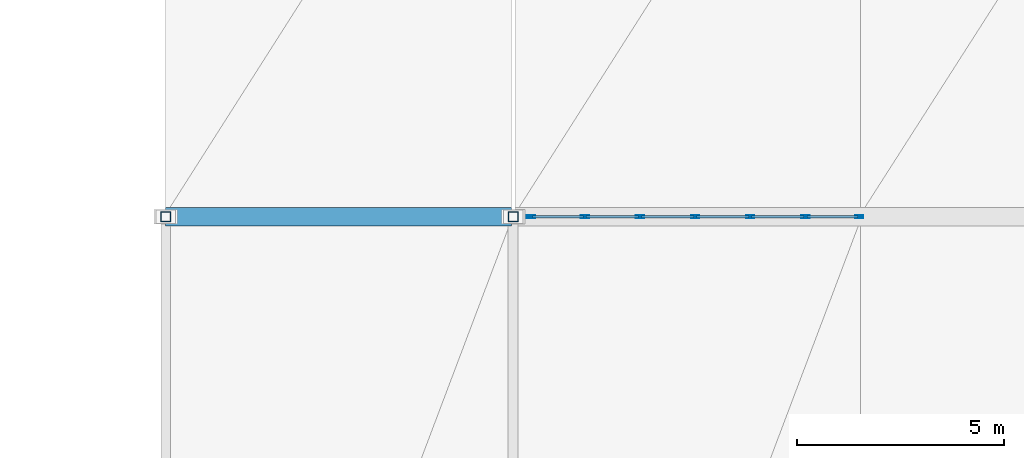
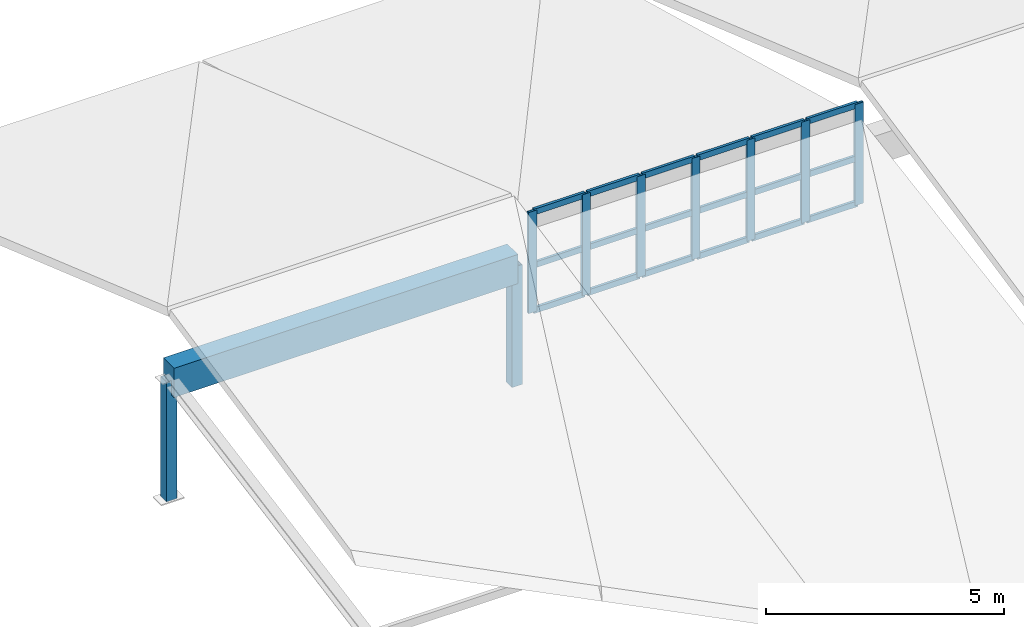
# One storey, part 24 of 76: 27 members, 1 beam, 1 element without a shape of its own.
"""IFC4 building model written with IfcOpenShell, lengths in metres."""

from ifc_helpers import new_model, si_unit, direction, frame, origin, origin_2d, place, context, subcontext, project, spatial, rectangle, hollow_rectangle, extrude, material, layer, layer_set, material_profile, profile_set, type_object, element, aggregate, save


model = new_model("IFC4")

# Units and contexts
model_context = context("Model", 3, precision=1e-05, world=origin(), true_north=direction((0.0, 1.0)))
body_context = subcontext(model_context, "Body", "Model", "MODEL_VIEW")
ifc_project = project(units=[si_unit("LENGTHUNIT", "METRE"), si_unit("AREAUNIT", "SQUARE_METRE"), si_unit("VOLUMEUNIT", "CUBIC_METRE"), si_unit("PLANEANGLEUNIT", "RADIAN"), si_unit("MASSUNIT", "GRAM", prefix="KILO")], contexts=[model_context])

# Site, building, storey
site_placement = place(None, origin())
site = spatial("IfcSite", under=ifc_project, at=site_placement, CompositionType="ELEMENT")
building_placement = place(site_placement, origin())
building = spatial("IfcBuilding", under=site, at=building_placement, Name="Krzemoval Escarpment Law Courts", CompositionType="ELEMENT")
storey_placement = place(building_placement, frame((0.0, 0.0, 20.39990234375)))
storey = spatial("IfcBuildingStorey", under=building, at=storey_placement, Name="L04", CompositionType="ELEMENT", Elevation=20.39990234375)

# Beam
ifc_material_1 = material(Name="Concrete C50/60", Category="concrete")
ifc_material_profile_1 = material_profile(ifc_material_1, rectangle(XDim=0.449951171875, YDim=0.75, at=origin_2d()), Name="FPR 450x750")
ifc_profile_set_1 = profile_set([ifc_material_profile_1], Name="Concrete C50/60")
beam_type = type_object("IfcBeamType", Name="BM-FPR-450x750", PredefinedType="BEAM", material=ifc_profile_set_1)
beam_placement = place(storey_placement, frame((109.199951171875, 22.199951171875, 2.800048828125), z_axis=(1.0, 0.0, 0.0), x_axis=(0.0, 1.0, 0.0)))
element("IfcBeam", 1, at=beam_placement, inside=storey, type_object=beam_type, Name="Library Clerestory Beam RB-2828", PredefinedType="BEAM", context=body_context, shape_type="SweptSolid", body=[
    extrude(rectangle(XDim=0.449951171875, YDim=0.75, at=origin_2d()), origin(), (0.0, 0.0, 1.0), 8.360107421875),
])

# Curtain wall, members
ifc_material_2 = material(Name="Aluminium 6063-T6", Category="aluminium")
ifc_layer = layer(ifc_material_2, 0.199951171875)
ifc_layer_set = layer_set([ifc_layer], Name="Aluminium 6063-T6")
curtain_wall_type = type_object("IfcCurtainWallType", Name="CW-CLER-2800", PredefinedType="USERDEFINED", material=ifc_layer_set)
curtain_wall_placement = place(storey_placement, origin())
curtain_wall = element("IfcCurtainWall", 2, at=curtain_wall_placement, inside=storey, type_object=curtain_wall_type, Name="Clerestory Curtain Wall CW-CLER-V3-01", ObjectType="UNITISED_CURTAIN_WALL", PredefinedType="USERDEFINED")
ifc_material_3 = material(Name="Aluminium 6063-T6", Category="aluminium")
ifc_material_profile_2 = material_profile(ifc_material_3, hollow_rectangle(XDim=0.06494140625, YDim=0.199951171875, WallThickness=0.00439453125, at=origin_2d()), Name="ALU M65x200")
ifc_profile_set_2 = profile_set([ifc_material_profile_2], Name="Aluminium 6063-T6")
member_type_1 = type_object("IfcMemberType", Name="CWM-65x200", PredefinedType="MULLION", material=ifc_profile_set_2)
member_1_placement = place(storey_placement, frame((118.032470703125, 22.199951171875, 1.400146484375), z_axis=(0.0, 0.0, 1.0), x_axis=(0.0, 1.0, 0.0)))
member_1 = element("IfcMember", 3, at=member_1_placement, type_object=member_type_1, Name="CW-CLER-V3-01 mullion 1", PredefinedType="MULLION", context=body_context, shape_type="SweptSolid", body=[
    extrude(hollow_rectangle(XDim=0.06494140625, YDim=0.199951171875, WallThickness=0.00439453125, at=origin_2d()), origin(), (0.0, 0.0, 1.0), 2.599853515625),
])
member_2_placement = place(storey_placement, frame((119.333251953125, 22.199951171875, 1.400146484375), z_axis=(0.0, 0.0, 1.0), x_axis=(0.0, 1.0, 0.0)))
member_2 = element("IfcMember", 4, at=member_2_placement, type_object=member_type_1, Name="CW-CLER-V3-01 mullion 2", PredefinedType="MULLION", context=body_context, shape_type="SweptSolid", body=[
    extrude(hollow_rectangle(XDim=0.06494140625, YDim=0.199951171875, WallThickness=0.00439453125, at=origin_2d()), origin(), (0.0, 0.0, 1.0), 2.599853515625),
])
member_3_placement = place(storey_placement, frame((120.666748046875, 22.199951171875, 1.400146484375), z_axis=(0.0, 0.0, 1.0), x_axis=(0.0, 1.0, 0.0)))
member_3 = element("IfcMember", 5, at=member_3_placement, type_object=member_type_1, Name="CW-CLER-V3-01 mullion 3", PredefinedType="MULLION", context=body_context, shape_type="SweptSolid", body=[
    extrude(hollow_rectangle(XDim=0.06494140625, YDim=0.199951171875, WallThickness=0.00439453125, at=origin_2d()), origin(), (0.0, 0.0, 1.0), 2.599853515625),
])
member_4_placement = place(storey_placement, frame((122.0, 22.199951171875, 1.400146484375), z_axis=(0.0, 0.0, 1.0), x_axis=(0.0, 1.0, 0.0)))
member_4 = element("IfcMember", 6, at=member_4_placement, type_object=member_type_1, Name="CW-CLER-V3-01 mullion 4", PredefinedType="MULLION", context=body_context, shape_type="SweptSolid", body=[
    extrude(hollow_rectangle(XDim=0.06494140625, YDim=0.199951171875, WallThickness=0.00439453125, at=origin_2d()), origin(), (0.0, 0.0, 1.0), 2.599853515625),
])
member_5_placement = place(storey_placement, frame((123.333251953125, 22.199951171875, 1.400146484375), z_axis=(0.0, 0.0, 1.0), x_axis=(0.0, 1.0, 0.0)))
member_5 = element("IfcMember", 7, at=member_5_placement, type_object=member_type_1, Name="CW-CLER-V3-01 mullion 5", PredefinedType="MULLION", context=body_context, shape_type="SweptSolid", body=[
    extrude(hollow_rectangle(XDim=0.06494140625, YDim=0.199951171875, WallThickness=0.00439453125, at=origin_2d()), origin(), (0.0, 0.0, 1.0), 2.599853515625),
])
member_6_placement = place(storey_placement, frame((124.666748046875, 22.199951171875, 1.400146484375), z_axis=(0.0, 0.0, 1.0), x_axis=(0.0, 1.0, 0.0)))
member_6 = element("IfcMember", 8, at=member_6_placement, type_object=member_type_1, Name="CW-CLER-V3-01 mullion 6", PredefinedType="MULLION", context=body_context, shape_type="SweptSolid", body=[
    extrude(hollow_rectangle(XDim=0.06494140625, YDim=0.199951171875, WallThickness=0.00439453125, at=origin_2d()), origin(), (0.0, 0.0, 1.0), 2.599853515625),
])
member_7_placement = place(storey_placement, frame((125.967529296875, 22.199951171875, 1.400146484375), z_axis=(0.0, 0.0, 1.0), x_axis=(0.0, 1.0, 0.0)))
member_7 = element("IfcMember", 9, at=member_7_placement, type_object=member_type_1, Name="CW-CLER-V3-01 mullion 7", PredefinedType="MULLION", context=body_context, shape_type="SweptSolid", body=[
    extrude(hollow_rectangle(XDim=0.06494140625, YDim=0.199951171875, WallThickness=0.00439453125, at=origin_2d()), origin(), (0.0, 0.0, 1.0), 2.599853515625),
])
ifc_material_4 = material(Name="Aluminium 6063-T6", Category="aluminium")
ifc_material_profile_3 = material_profile(ifc_material_4, hollow_rectangle(XDim=0.06494140625, YDim=0.14990234375, WallThickness=0.00439453125, at=origin_2d()), Name="ALU T65x150")
ifc_profile_set_3 = profile_set([ifc_material_profile_3], Name="Aluminium 6063-T6")
member_type_2 = type_object("IfcMemberType", Name="CWT-65x150", PredefinedType="USERDEFINED", material=ifc_profile_set_3)
member_8_placement = place(storey_placement, frame((118.06494140625, 22.199951171875, 1.4326171875), z_axis=(1.0, 0.0, 0.0), x_axis=(0.0, 1.0, 0.0)))
member_8 = element("IfcMember", 10, at=member_8_placement, type_object=member_type_2, Name="CW-CLER-V3-01 transom 1.1", ObjectType="TRANSOM", PredefinedType="USERDEFINED", context=body_context, shape_type="SweptSolid", body=[
    extrude(hollow_rectangle(XDim=0.06494140625, YDim=0.14990234375, WallThickness=0.00439453125, at=origin_2d()), origin(), (0.0, 0.0, 1.0), 1.23583984375),
])
member_9_placement = place(storey_placement, frame((118.06494140625, 22.199951171875, 2.60009765625), z_axis=(1.0, 0.0, 0.0), x_axis=(0.0, 1.0, 0.0)))
member_9 = element("IfcMember", 11, at=member_9_placement, type_object=member_type_2, Name="CW-CLER-V3-01 transom 1.2", ObjectType="TRANSOM", PredefinedType="USERDEFINED", context=body_context, shape_type="SweptSolid", body=[
    extrude(hollow_rectangle(XDim=0.06494140625, YDim=0.14990234375, WallThickness=0.00439453125, at=origin_2d()), origin(), (0.0, 0.0, 1.0), 1.23583984375),
])
member_10_placement = place(storey_placement, frame((118.06494140625, 22.199951171875, 3.967529296875), z_axis=(1.0, 0.0, 0.0), x_axis=(0.0, 1.0, 0.0)))
member_10 = element("IfcMember", 12, at=member_10_placement, type_object=member_type_2, Name="CW-CLER-V3-01 transom 1.3", ObjectType="TRANSOM", PredefinedType="USERDEFINED", context=body_context, shape_type="SweptSolid", body=[
    extrude(hollow_rectangle(XDim=0.06494140625, YDim=0.14990234375, WallThickness=0.00439453125, at=origin_2d()), origin(), (0.0, 0.0, 1.0), 1.23583984375),
])
member_11_placement = place(storey_placement, frame((119.36572265625, 22.199951171875, 1.4326171875), z_axis=(1.0, 0.0, 0.0), x_axis=(0.0, 1.0, 0.0)))
member_11 = element("IfcMember", 13, at=member_11_placement, type_object=member_type_2, Name="CW-CLER-V3-01 transom 2.1", ObjectType="TRANSOM", PredefinedType="USERDEFINED", context=body_context, shape_type="SweptSolid", body=[
    extrude(hollow_rectangle(XDim=0.06494140625, YDim=0.14990234375, WallThickness=0.00439453125, at=origin_2d()), origin(), (0.0, 0.0, 1.0), 1.2685546875),
])
member_12_placement = place(storey_placement, frame((119.36572265625, 22.199951171875, 2.60009765625), z_axis=(1.0, 0.0, 0.0), x_axis=(0.0, 1.0, 0.0)))
member_12 = element("IfcMember", 14, at=member_12_placement, type_object=member_type_2, Name="CW-CLER-V3-01 transom 2.2", ObjectType="TRANSOM", PredefinedType="USERDEFINED", context=body_context, shape_type="SweptSolid", body=[
    extrude(hollow_rectangle(XDim=0.06494140625, YDim=0.14990234375, WallThickness=0.00439453125, at=origin_2d()), origin(), (0.0, 0.0, 1.0), 1.2685546875),
])
member_13_placement = place(storey_placement, frame((119.36572265625, 22.199951171875, 3.967529296875), z_axis=(1.0, 0.0, 0.0), x_axis=(0.0, 1.0, 0.0)))
member_13 = element("IfcMember", 15, at=member_13_placement, type_object=member_type_2, Name="CW-CLER-V3-01 transom 2.3", ObjectType="TRANSOM", PredefinedType="USERDEFINED", context=body_context, shape_type="SweptSolid", body=[
    extrude(hollow_rectangle(XDim=0.06494140625, YDim=0.14990234375, WallThickness=0.00439453125, at=origin_2d()), origin(), (0.0, 0.0, 1.0), 1.2685546875),
])
member_14_placement = place(storey_placement, frame((120.69921875, 22.199951171875, 1.4326171875), z_axis=(1.0, 0.0, 0.0), x_axis=(0.0, 1.0, 0.0)))
member_14 = element("IfcMember", 16, at=member_14_placement, type_object=member_type_2, Name="CW-CLER-V3-01 transom 3.1", ObjectType="TRANSOM", PredefinedType="USERDEFINED", context=body_context, shape_type="SweptSolid", body=[
    extrude(hollow_rectangle(XDim=0.06494140625, YDim=0.14990234375, WallThickness=0.00439453125, at=origin_2d()), origin(), (0.0, 0.0, 1.0), 1.268310546875),
])
member_15_placement = place(storey_placement, frame((120.69921875, 22.199951171875, 2.60009765625), z_axis=(1.0, 0.0, 0.0), x_axis=(0.0, 1.0, 0.0)))
member_15 = element("IfcMember", 17, at=member_15_placement, type_object=member_type_2, Name="CW-CLER-V3-01 transom 3.2", ObjectType="TRANSOM", PredefinedType="USERDEFINED", context=body_context, shape_type="SweptSolid", body=[
    extrude(hollow_rectangle(XDim=0.06494140625, YDim=0.14990234375, WallThickness=0.00439453125, at=origin_2d()), origin(), (0.0, 0.0, 1.0), 1.268310546875),
])
member_16_placement = place(storey_placement, frame((120.69921875, 22.199951171875, 3.967529296875), z_axis=(1.0, 0.0, 0.0), x_axis=(0.0, 1.0, 0.0)))
member_16 = element("IfcMember", 18, at=member_16_placement, type_object=member_type_2, Name="CW-CLER-V3-01 transom 3.3", ObjectType="TRANSOM", PredefinedType="USERDEFINED", context=body_context, shape_type="SweptSolid", body=[
    extrude(hollow_rectangle(XDim=0.06494140625, YDim=0.14990234375, WallThickness=0.00439453125, at=origin_2d()), origin(), (0.0, 0.0, 1.0), 1.268310546875),
])
member_17_placement = place(storey_placement, frame((122.032470703125, 22.199951171875, 1.4326171875), z_axis=(1.0, 0.0, 0.0), x_axis=(0.0, 1.0, 0.0)))
member_17 = element("IfcMember", 19, at=member_17_placement, type_object=member_type_2, Name="CW-CLER-V3-01 transom 4.1", ObjectType="TRANSOM", PredefinedType="USERDEFINED", context=body_context, shape_type="SweptSolid", body=[
    extrude(hollow_rectangle(XDim=0.06494140625, YDim=0.14990234375, WallThickness=0.00439453125, at=origin_2d()), origin(), (0.0, 0.0, 1.0), 1.268310546875),
])
member_18_placement = place(storey_placement, frame((122.032470703125, 22.199951171875, 2.60009765625), z_axis=(1.0, 0.0, 0.0), x_axis=(0.0, 1.0, 0.0)))
member_18 = element("IfcMember", 20, at=member_18_placement, type_object=member_type_2, Name="CW-CLER-V3-01 transom 4.2", ObjectType="TRANSOM", PredefinedType="USERDEFINED", context=body_context, shape_type="SweptSolid", body=[
    extrude(hollow_rectangle(XDim=0.06494140625, YDim=0.14990234375, WallThickness=0.00439453125, at=origin_2d()), origin(), (0.0, 0.0, 1.0), 1.268310546875),
])
member_19_placement = place(storey_placement, frame((122.032470703125, 22.199951171875, 3.967529296875), z_axis=(1.0, 0.0, 0.0), x_axis=(0.0, 1.0, 0.0)))
member_19 = element("IfcMember", 21, at=member_19_placement, type_object=member_type_2, Name="CW-CLER-V3-01 transom 4.3", ObjectType="TRANSOM", PredefinedType="USERDEFINED", context=body_context, shape_type="SweptSolid", body=[
    extrude(hollow_rectangle(XDim=0.06494140625, YDim=0.14990234375, WallThickness=0.00439453125, at=origin_2d()), origin(), (0.0, 0.0, 1.0), 1.268310546875),
])
member_20_placement = place(storey_placement, frame((123.36572265625, 22.199951171875, 1.4326171875), z_axis=(1.0, 0.0, 0.0), x_axis=(0.0, 1.0, 0.0)))
member_20 = element("IfcMember", 22, at=member_20_placement, type_object=member_type_2, Name="CW-CLER-V3-01 transom 5.1", ObjectType="TRANSOM", PredefinedType="USERDEFINED", context=body_context, shape_type="SweptSolid", body=[
    extrude(hollow_rectangle(XDim=0.06494140625, YDim=0.14990234375, WallThickness=0.00439453125, at=origin_2d()), origin(), (0.0, 0.0, 1.0), 1.2685546875),
])
member_21_placement = place(storey_placement, frame((123.36572265625, 22.199951171875, 2.60009765625), z_axis=(1.0, 0.0, 0.0), x_axis=(0.0, 1.0, 0.0)))
member_21 = element("IfcMember", 23, at=member_21_placement, type_object=member_type_2, Name="CW-CLER-V3-01 transom 5.2", ObjectType="TRANSOM", PredefinedType="USERDEFINED", context=body_context, shape_type="SweptSolid", body=[
    extrude(hollow_rectangle(XDim=0.06494140625, YDim=0.14990234375, WallThickness=0.00439453125, at=origin_2d()), origin(), (0.0, 0.0, 1.0), 1.2685546875),
])
member_22_placement = place(storey_placement, frame((123.36572265625, 22.199951171875, 3.967529296875), z_axis=(1.0, 0.0, 0.0), x_axis=(0.0, 1.0, 0.0)))
member_22 = element("IfcMember", 24, at=member_22_placement, type_object=member_type_2, Name="CW-CLER-V3-01 transom 5.3", ObjectType="TRANSOM", PredefinedType="USERDEFINED", context=body_context, shape_type="SweptSolid", body=[
    extrude(hollow_rectangle(XDim=0.06494140625, YDim=0.14990234375, WallThickness=0.00439453125, at=origin_2d()), origin(), (0.0, 0.0, 1.0), 1.2685546875),
])
member_23_placement = place(storey_placement, frame((124.69921875, 22.199951171875, 1.4326171875), z_axis=(1.0, 0.0, 0.0), x_axis=(0.0, 1.0, 0.0)))
member_23 = element("IfcMember", 25, at=member_23_placement, type_object=member_type_2, Name="CW-CLER-V3-01 transom 6.1", ObjectType="TRANSOM", PredefinedType="USERDEFINED", context=body_context, shape_type="SweptSolid", body=[
    extrude(hollow_rectangle(XDim=0.06494140625, YDim=0.14990234375, WallThickness=0.00439453125, at=origin_2d()), origin(), (0.0, 0.0, 1.0), 1.23583984375),
])
member_24_placement = place(storey_placement, frame((124.69921875, 22.199951171875, 2.60009765625), z_axis=(1.0, 0.0, 0.0), x_axis=(0.0, 1.0, 0.0)))
member_24 = element("IfcMember", 26, at=member_24_placement, type_object=member_type_2, Name="CW-CLER-V3-01 transom 6.2", ObjectType="TRANSOM", PredefinedType="USERDEFINED", context=body_context, shape_type="SweptSolid", body=[
    extrude(hollow_rectangle(XDim=0.06494140625, YDim=0.14990234375, WallThickness=0.00439453125, at=origin_2d()), origin(), (0.0, 0.0, 1.0), 1.23583984375),
])
member_25_placement = place(storey_placement, frame((124.69921875, 22.199951171875, 3.967529296875), z_axis=(1.0, 0.0, 0.0), x_axis=(0.0, 1.0, 0.0)))
member_25 = element("IfcMember", 27, at=member_25_placement, type_object=member_type_2, Name="CW-CLER-V3-01 transom 6.3", ObjectType="TRANSOM", PredefinedType="USERDEFINED", context=body_context, shape_type="SweptSolid", body=[
    extrude(hollow_rectangle(XDim=0.06494140625, YDim=0.14990234375, WallThickness=0.00439453125, at=origin_2d()), origin(), (0.0, 0.0, 1.0), 1.23583984375),
])
aggregate(curtain_wall, [member_1, member_2, member_3, member_4, member_5, member_6, member_7, member_8, member_9, member_10, member_11, member_12, member_13, member_14, member_15, member_16, member_17, member_18, member_19, member_20, member_21, member_22, member_23, member_24, member_25])

# Members
ifc_material_5 = material(Name="Steel S355", Category="steel")
ifc_material_profile_4 = material_profile(ifc_material_5, hollow_rectangle(XDim=0.25, YDim=0.25, WallThickness=0.012451171875, at=origin_2d()), Name="SHS 250x250x12.5")
ifc_profile_set_4 = profile_set([ifc_material_profile_4], Name="Steel S355")
member_type_3 = type_object("IfcMemberType", Name="MBR-STR-SHS250", PredefinedType="STRUT", material=ifc_profile_set_4)
for number, where, z_axis, x_axis, name in (
    (28, (109.199951171875, 22.199951171875, -0.27978515625), (0.0, 0.0, 1.0), (1.0, 0.0, 0.0), "Library Ridge King Strut V3-RST-1092"),
    (29, (117.60009765625, 22.199951171875, -0.27978515625), (0.0, 0.0, 1.0), (1.0, 0.0, 0.0), "Library Ridge King Strut V3-RST-1176"),
):
    element("IfcMember", number, at=place(storey_placement, frame(where, z_axis=z_axis, x_axis=x_axis)), inside=storey, type_object=member_type_3, Name=name, PredefinedType="STRUT", context=body_context, shape_type="SweptSolid", body=[
        extrude(hollow_rectangle(XDim=0.25, YDim=0.25, WallThickness=0.012451171875, at=origin_2d()), origin(), (0.0, 0.0, 1.0), 3.079833984375),
    ])

save(model, "model.ifc")
